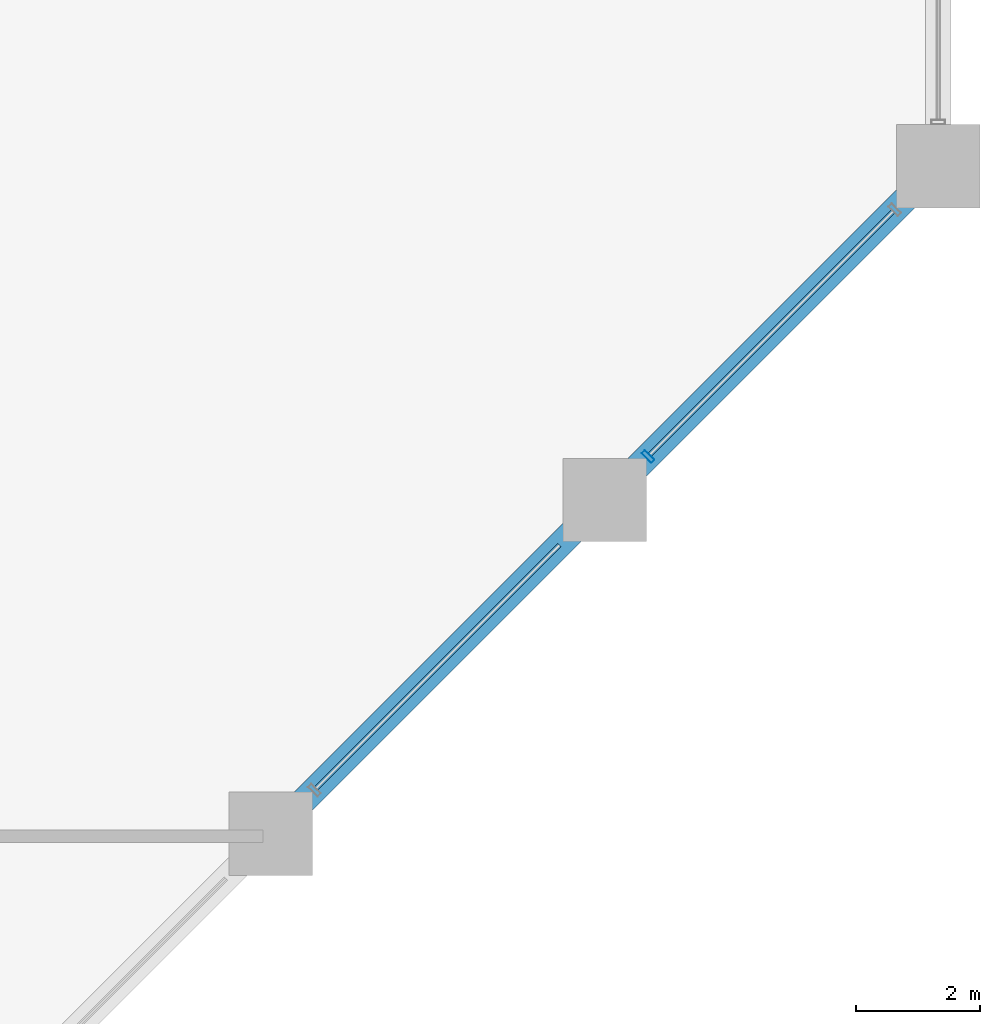
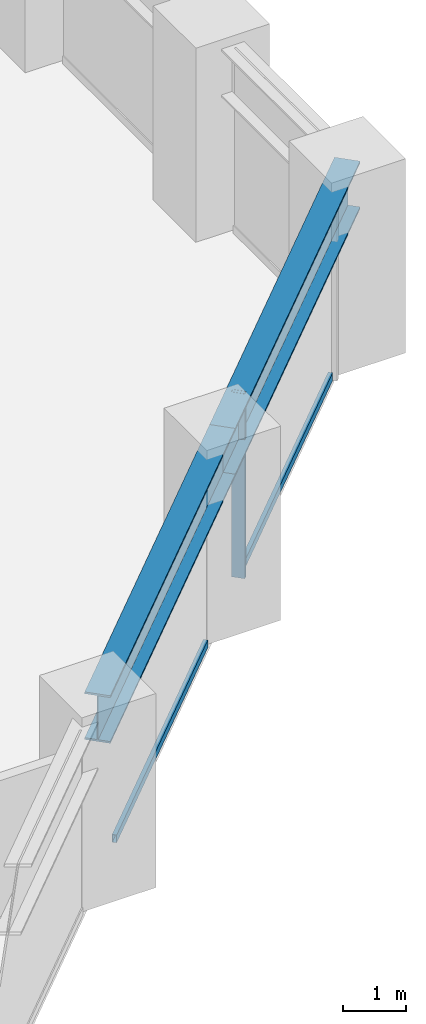
# One storey, part 9 of 24: 3 members, 2 beams, 1 element without a shape of its own.
"""IFC4 building model written with IfcOpenShell, lengths in metres."""

from ifc_helpers import new_model, si_unit, direction, frame, origin, origin_2d, place, context, subcontext, project, spatial, hollow_rectangle, i_section, extrude, material, layer, layer_set, material_profile, profile_set, type_object, element, aggregate, save


model = new_model("IFC4")

# Units and contexts
model_context = context("Model", 3, precision=1e-05, world=origin(), true_north=direction((0.0, 1.0)))
body_context = subcontext(model_context, "Body", "Model", "MODEL_VIEW")
ifc_project = project(units=[si_unit("LENGTHUNIT", "METRE"), si_unit("AREAUNIT", "SQUARE_METRE"), si_unit("VOLUMEUNIT", "CUBIC_METRE"), si_unit("PLANEANGLEUNIT", "RADIAN"), si_unit("MASSUNIT", "GRAM", prefix="KILO")], contexts=[model_context])

# Site, building, storey
site_placement = place(None, origin())
site = spatial("IfcSite", under=ifc_project, at=site_placement, CompositionType="ELEMENT")
building_placement = place(site_placement, origin())
building = spatial("IfcBuilding", under=site, at=building_placement, Name="Surkhivell Harbour Commons", CompositionType="ELEMENT")
storey_placement = place(building_placement, frame((0.0, 0.0, 26.25)))
storey = spatial("IfcBuildingStorey", under=building, at=storey_placement, Name="L06", CompositionType="ELEMENT", Elevation=26.25)

# Beams
ifc_material_1 = material(Name="Steel S460", Category="steel")
ifc_material_profile_1 = material_profile(ifc_material_1, i_section(OverallWidth=0.419921875, OverallDepth=0.9208984375, WebThickness=0.021484375, FlangeThickness=0.03662109375, at=origin_2d()), Name="UB914x419x388")
ifc_profile_set_1 = profile_set([ifc_material_profile_1], Name="Steel S460")
beam_type = type_object("IfcBeamType", Name="BM-SPN-914A", PredefinedType="SPANDREL", material=ifc_profile_set_1)
for number, where, z_axis, x_axis, name in (
    (1, (21.60009765625, -4.300048828125, 3.109619140625), (0.707090796496, 0.707122765516, 0.0), (-0.707122765516, 0.707090796496, 0.0), "L06 Tube Spandrel (21.6,-4.3)"),
    (2, (27.0, 1.10009765625, 3.109619140625), (0.707106781187, 0.707106781187, 0.0), (-0.707106781187, 0.707106781187, 0.0), "L06 Tube Spandrel (27.0,1.1)"),
):
    element("IfcBeam", number, at=place(storey_placement, frame(where, z_axis=z_axis, x_axis=x_axis)), inside=storey, type_object=beam_type, Name=name, PredefinedType="SPANDREL", context=body_context, shape_type="SweptSolid", body=[
        extrude(i_section(OverallWidth=0.419921875, OverallDepth=0.9208984375, WebThickness=0.021484375, FlangeThickness=0.03662109375, at=origin_2d()), origin(), (0.0, 0.0, 1.0), 7.63671875),
    ])

# Curtain wall, members
ifc_material_2 = material(Name="Anodised pale-metal aluminium and insulated glazing", Category="aluminium")
ifc_layer = layer(ifc_material_2, 0.219970703125)
ifc_layer_set = layer_set([ifc_layer], Name="Anodised pale-metal aluminium and insulated glazing")
curtain_wall_type = type_object("IfcCurtainWallType", Name="CW-SYS-Z1", PredefinedType="NOTDEFINED", material=ifc_layer_set)
curtain_wall_placement = place(storey_placement, origin())
curtain_wall = element("IfcCurtainWall", 3, at=curtain_wall_placement, inside=storey, type_object=curtain_wall_type, Name="L06 Curtain Wall CW-L06-E01", PredefinedType="NOTDEFINED")
ifc_material_3 = material(Name="Anodised pale-metal aluminium alloy 6063-T6", Category="aluminium")
ifc_material_profile_2 = material_profile(ifc_material_3, hollow_rectangle(XDim=0.074951171875, YDim=0.219970703125, WallThickness=0.00390625, at=origin_2d()), Name="ALU-MULL-75x220")
ifc_profile_set_2 = profile_set([ifc_material_profile_2], Name="Anodised pale-metal aluminium alloy 6063-T6")
member_type_1 = type_object("IfcMemberType", Name="CWM-220", PredefinedType="MULLION", material=ifc_profile_set_2)
member_1_placement = place(storey_placement, frame((27.703369140625, 1.80322265625, 0.0), z_axis=(0.0, 0.0, 1.0), x_axis=(0.707106781187, 0.707106781187, 0.0)))
member_1 = element("IfcMember", 4, at=member_1_placement, type_object=member_type_1, Name="CW-Z1 mullion 6", PredefinedType="MULLION", context=body_context, shape_type="SweptSolid", body=[
    extrude(hollow_rectangle(XDim=0.074951171875, YDim=0.219970703125, WallThickness=0.00390625, at=origin_2d()), origin(), (0.0, 0.0, 1.0), 3.570068359375),
])
ifc_material_profile_3 = material_profile(ifc_material_3, hollow_rectangle(XDim=0.074951171875, YDim=0.14990234375, WallThickness=0.00341796875, at=origin_2d()), Name="ALU-TRAN-75x150")
ifc_profile_set_3 = profile_set([ifc_material_profile_3], Name="Anodised pale-metal aluminium alloy 6063-T6")
member_type_2 = type_object("IfcMemberType", Name="CWT-150", PredefinedType="USERDEFINED", material=ifc_profile_set_3)
member_2_placement = place(storey_placement, frame((22.329833984375, -3.570068359375, 0.074951171875), z_axis=(0.70712868694, 0.707084874754, 0.0), x_axis=(-0.707084874754, 0.70712868694, 0.0)))
member_2 = element("IfcMember", 5, at=member_2_placement, type_object=member_type_2, Name="CW-Z1 transom 5.1", ObjectType="TRANSOM", PredefinedType="USERDEFINED", context=body_context, shape_type="SweptSolid", body=[
    extrude(hollow_rectangle(XDim=0.074951171875, YDim=0.14990234375, WallThickness=0.00341796875, at=origin_2d()), origin(), (0.0, 0.0, 1.0), 5.572509765625),
])
member_3_placement = place(storey_placement, frame((27.729736328125, 1.829833984375, 0.074951171875), z_axis=(0.707106781187, 0.707106781187, 0.0), x_axis=(-0.707106781187, 0.707106781187, 0.0)))
member_3 = element("IfcMember", 6, at=member_3_placement, type_object=member_type_2, Name="CW-Z1 transom 6.1", ObjectType="TRANSOM", PredefinedType="USERDEFINED", context=body_context, shape_type="SweptSolid", body=[
    extrude(hollow_rectangle(XDim=0.074951171875, YDim=0.14990234375, WallThickness=0.00341796875, at=origin_2d()), origin(), (0.0, 0.0, 1.0), 5.572509765625),
])
aggregate(curtain_wall, [member_2, member_1, member_3])

save(model, "model.ifc")
